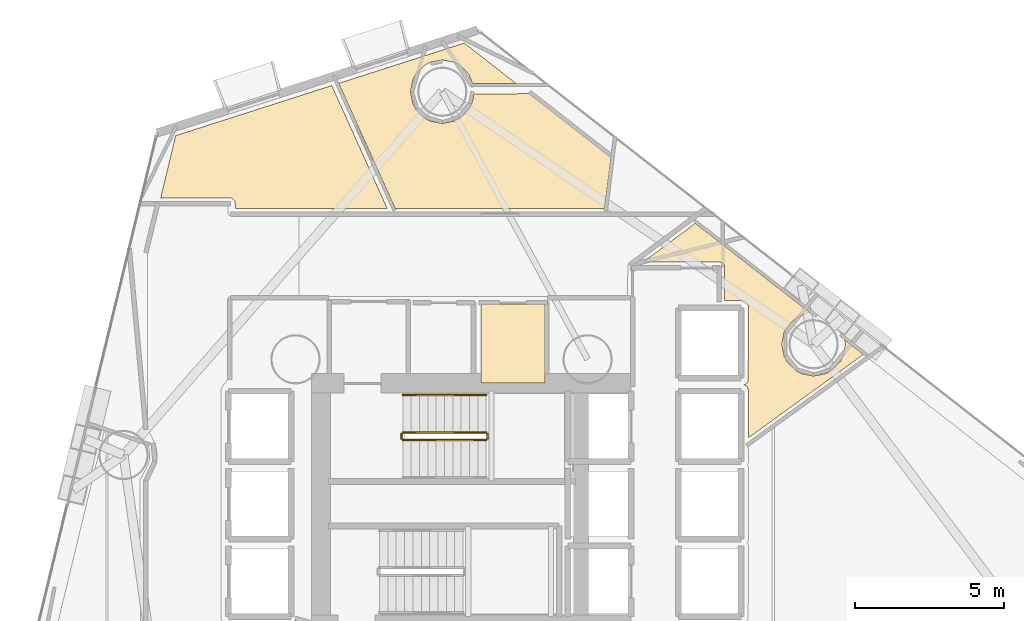
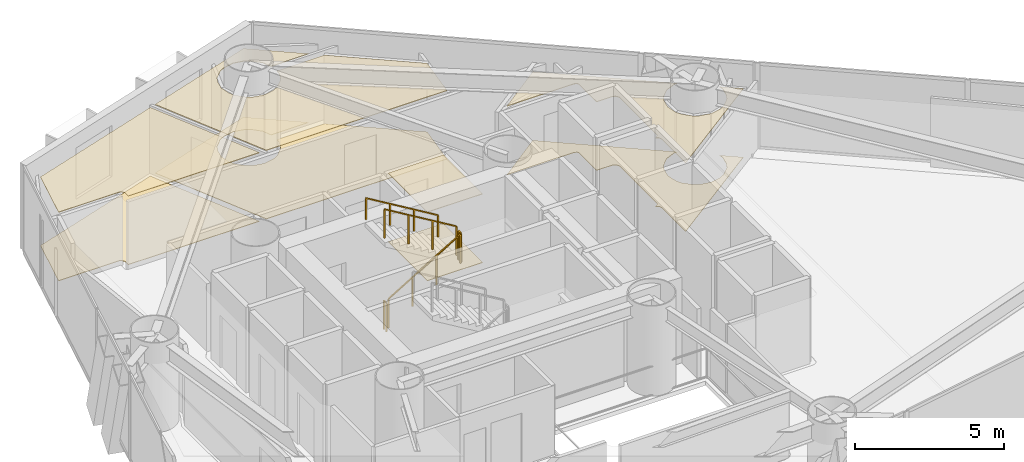
# One storey, part 22 of 23: 8 coverings, 5 railings.
"""IFC4 building model written with IfcOpenShell, lengths in metres."""

from ifc_helpers import new_model, si_unit, direction, frame, origin, origin_2d, place, context, subcontext, project, spatial, polyline, rectangle, outline, extrude, material, layer, layer_set, type_object, element, save


model = new_model("IFC4")

# Units and contexts
model_context = context("Model", 3, precision=1e-05, world=origin(), true_north=direction((0.0, 1.0)))
body_context = subcontext(model_context, "Body", "Model", "MODEL_VIEW")
ifc_project = project(units=[si_unit("LENGTHUNIT", "METRE"), si_unit("AREAUNIT", "SQUARE_METRE"), si_unit("VOLUMEUNIT", "CUBIC_METRE"), si_unit("PLANEANGLEUNIT", "RADIAN"), si_unit("MASSUNIT", "GRAM", prefix="KILO")], contexts=[model_context])

# Site, building, storey
site_placement = place(None, origin())
site = spatial("IfcSite", under=ifc_project, at=site_placement, CompositionType="ELEMENT")
building_placement = place(site_placement, origin())
building = spatial("IfcBuilding", under=site, at=building_placement, Name="Qianvela Tower", CompositionType="ELEMENT")
storey_placement = place(building_placement, frame((0.0, 0.0, 85.800048828125)))
storey = spatial("IfcBuildingStorey", under=building, at=storey_placement, Name="L21", CompositionType="ELEMENT", Elevation=85.800048828125)

# Coverings
ifc_material_1 = material(Name="Perforated Mineral Acoustic Ceiling Tile")
ifc_layer_1 = layer(ifc_material_1, 0.02490234375)
ifc_layer_set_1 = layer_set([ifc_layer_1], Name="Perforated Mineral Acoustic Ceiling Tile")
covering_type_1 = type_object("IfcCoveringType", Name="COV-CEIL-ACOUSTIC-25", PredefinedType="CEILING", material=ifc_layer_set_1)
covering_1_placement = place(storey_placement, frame((0.0, 0.0, 2.81494140625)))
element("IfcCovering", 1, at=covering_1_placement, inside=storey, type_object=covering_type_1, Name="L21 Acoustic Ceiling L21 Core Tea Pantry", PredefinedType="CEILING", context=body_context, shape_type="SweptSolid", body=[
    extrude(outline(polyline([(36.969970703125, 32.760009765625), (34.830078125, 32.760009765625), (34.830078125, 35.39990234375), (36.969970703125, 35.39990234375), (36.969970703125, 32.760009765625)])), origin(), (0.0, 0.0, 1.0), 0.02490234375),
])
covering_2_placement = place(storey_placement, frame((0.0, 0.0, 2.81494140625)))
element("IfcCovering", 2, at=covering_2_placement, inside=storey, type_object=covering_type_1, Name="L21 Acoustic Ceiling Academic Cellular Office L21-03", PredefinedType="CEILING", context=body_context, shape_type="SweptSolid", body=[
    extrude(outline(polyline([(43.65283203125, 32.698486328125), (43.680908203125, 32.70703125), (43.6884765625, 32.709716796875), (43.695556640625, 32.712890625), (43.7021484375, 32.717041015625), (43.70849609375, 32.7216796875), (43.71435546875, 32.72705078125), (43.719482421875, 32.73291015625), (43.771240234375, 32.795654296875), (43.77587890625, 32.802001953125), (43.77978515625, 32.80859375), (43.783203125, 32.815673828125), (43.785888671875, 32.822998046875), (43.787841796875, 32.83056640625), (43.788818359375, 32.83837890625), (43.789306640625, 32.84619140625), (43.79736328125, 35.3271484375), (43.797119140625, 35.334228515625), (43.7958984375, 35.341552734375), (43.79443359375, 35.348388671875), (43.792236328125, 35.35546875), (43.789306640625, 35.362060546875), (43.785888671875, 35.368408203125), (43.7373046875, 35.44921875), (43.732666015625, 35.456298828125), (43.727294921875, 35.462890625), (43.72119140625, 35.46875), (43.71435546875, 35.47412109375), (43.70703125, 35.478515625), (43.699462890625, 35.482177734375), (43.624267578125, 35.51318359375), (43.616943359375, 35.515869140625), (43.609375, 35.517822265625), (43.6015625, 35.518798828125), (43.59375, 35.519287109375), (42.998779296875, 35.52001953125), (42.99169921875, 36.701171875), (42.991455078125, 36.70947265625), (42.989990234375, 36.71728515625), (42.988037109375, 36.725341796875), (42.985107421875, 36.73291015625), (42.9814453125, 36.740234375), (42.97705078125, 36.7470703125), (42.971923828125, 36.75341796875), (42.96630859375, 36.759521484375), (42.9599609375, 36.7646484375), (42.953125, 36.769287109375), (42.946044921875, 36.773193359375), (42.88427734375, 36.80224609375), (42.8759765625, 36.8056640625), (42.867431640625, 36.80810546875), (42.85888671875, 36.8095703125), (42.85009765625, 36.81005859375), (40.262451171875, 36.81005859375), (42.015869140625, 38.115478515625), (45.87548828125, 35.10498046875), (45.789794921875, 35.10302734375), (45.78271484375, 35.1025390625), (45.775390625, 35.101318359375), (45.768310546875, 35.099609375), (45.76123046875, 35.096923828125), (45.406005859375, 34.949951171875), (45.399169921875, 34.946533203125), (45.392333984375, 34.9423828125), (45.385986328125, 34.937744140625), (45.380126953125, 34.9326171875), (45.1083984375, 34.660888671875), (45.103271484375, 34.655029296875), (45.098388671875, 34.648681640625), (45.094482421875, 34.641845703125), (45.00341796875, 34.4716796875), (45.0, 34.464599609375), (44.997314453125, 34.457275390625), (44.99560546875, 34.44970703125), (44.92041015625, 34.072509765625), (44.91943359375, 34.064697265625), (44.9189453125, 34.056884765625), (44.91943359375, 34.04931640625), (44.92041015625, 34.04150390625), (44.99560546875, 33.664306640625), (44.997314453125, 33.65673828125), (45.0, 33.6494140625), (45.00341796875, 33.642333984375), (45.094482421875, 33.47216796875), (45.098388671875, 33.46533203125), (45.103271484375, 33.458984375), (45.1083984375, 33.453125), (45.380126953125, 33.181396484375), (45.385986328125, 33.17626953125), (45.392333984375, 33.17138671875), (45.399169921875, 33.16748046875), (45.5693359375, 33.076416015625), (45.576416015625, 33.072998046875), (45.583740234375, 33.0703125), (45.59130859375, 33.068603515625), (45.968505859375, 32.993408203125), (45.976318359375, 32.992431640625), (45.98388671875, 32.991943359375), (45.99169921875, 32.992431640625), (45.99951171875, 32.993408203125), (46.376708984375, 33.068603515625), (46.38427734375, 33.0703125), (46.3916015625, 33.072998046875), (46.398681640625, 33.076416015625), (46.56884765625, 33.16748046875), (46.57568359375, 33.17138671875), (46.58203125, 33.17626953125), (46.587890625, 33.181396484375), (46.859619140625, 33.453125), (46.86474609375, 33.458984375), (46.869384765625, 33.46533203125), (46.87353515625, 33.47216796875), (46.964599609375, 33.642333984375), (46.968017578125, 33.6494140625), (46.970703125, 33.65673828125), (46.972412109375, 33.664306640625), (47.047607421875, 34.04150390625), (47.048583984375, 34.049072265625), (47.049072265625, 34.056640625), (47.048583984375, 34.064208984375), (47.047607421875, 34.072021484375), (47.02099609375, 34.211669921875), (47.656005859375, 33.71630859375), (43.800048828125, 30.918212890625), (43.800048828125, 32.5), (43.799560546875, 32.509033203125), (43.7978515625, 32.518310546875), (43.79541015625, 32.527099609375), (43.763427734375, 32.61572265625), (43.7607421875, 32.62255859375), (43.75732421875, 32.629150390625), (43.75341796875, 32.63525390625), (43.748779296875, 32.64111328125), (43.74365234375, 32.646484375), (43.73828125, 32.6513671875), (43.732421875, 32.655517578125), (43.725830078125, 32.659423828125), (43.65283203125, 32.698486328125)])), origin(), (0.0, 0.0, 1.0), 0.02490234375),
])
covering_3_placement = place(storey_placement, frame((0.0, 0.0, 2.81494140625)))
element("IfcCovering", 3, at=covering_3_placement, inside=storey, type_object=covering_type_1, Name="L21 Acoustic Ceiling Campus Convenience Shop L21-04", PredefinedType="CEILING", context=body_context, shape_type="SweptSolid", body=[
    extrude(outline(polyline([(31.946044921875, 38.610107421875), (30.051025390625, 42.81103515625), (34.26318359375, 44.162109375), (36.008056640625, 42.80126953125), (34.5458984375, 42.797607421875), (34.4189453125, 43.106689453125), (34.41552734375, 43.11376953125), (34.41162109375, 43.12060546875), (34.406982421875, 43.126953125), (34.401611328125, 43.1328125), (34.1298828125, 43.404541015625), (34.1240234375, 43.409912109375), (34.11767578125, 43.41455078125), (34.11083984375, 43.418701171875), (33.940673828125, 43.509521484375), (33.93359375, 43.512939453125), (33.92626953125, 43.515625), (33.918701171875, 43.517578125), (33.54150390625, 43.592529296875), (33.53369140625, 43.593505859375), (33.52587890625, 43.593994140625), (33.518310546875, 43.593505859375), (33.510498046875, 43.592529296875), (33.13330078125, 43.517578125), (33.125732421875, 43.515625), (33.118408203125, 43.512939453125), (33.111328125, 43.509521484375), (32.941162109375, 43.418701171875), (32.934326171875, 43.41455078125), (32.927978515625, 43.409912109375), (32.922119140625, 43.404541015625), (32.650390625, 43.1328125), (32.645263671875, 43.126953125), (32.640380859375, 43.12060546875), (32.636474609375, 43.114013671875), (32.54541015625, 42.943603515625), (32.5419921875, 42.9365234375), (32.539306640625, 42.92919921875), (32.53759765625, 42.921630859375), (32.46240234375, 42.544677734375), (32.46142578125, 42.536865234375), (32.4609375, 42.529052734375), (32.46142578125, 42.521240234375), (32.46240234375, 42.513427734375), (32.53759765625, 42.136474609375), (32.539306640625, 42.12890625), (32.5419921875, 42.121337890625), (32.54541015625, 42.1142578125), (32.636474609375, 41.944091796875), (32.640380859375, 41.937255859375), (32.645263671875, 41.930908203125), (32.650390625, 41.92529296875), (32.922119140625, 41.6533203125), (32.927978515625, 41.648193359375), (32.934326171875, 41.6435546875), (32.941162109375, 41.639404296875), (33.111328125, 41.54833984375), (33.118408203125, 41.545166015625), (33.125732421875, 41.54248046875), (33.13330078125, 41.54052734375), (33.510498046875, 41.465576171875), (33.518310546875, 41.46435546875), (33.52587890625, 41.464111328125), (33.53369140625, 41.46435546875), (33.54150390625, 41.465576171875), (33.918701171875, 41.54052734375), (33.92626953125, 41.54248046875), (33.93359375, 41.545166015625), (33.940673828125, 41.54833984375), (34.11083984375, 41.639404296875), (34.11767578125, 41.6435546875), (34.1240234375, 41.648193359375), (34.1298828125, 41.6533203125), (34.401611328125, 41.92529296875), (34.40673828125, 41.930908203125), (34.41162109375, 41.937255859375), (34.41552734375, 41.944091796875), (34.506591796875, 42.1142578125), (34.510009765625, 42.121337890625), (34.5126953125, 42.12890625), (34.568603515625, 42.313720703125), (34.570556640625, 42.321533203125), (34.57177734375, 42.32958984375), (34.583251953125, 42.457763671875), (36.442626953125, 42.46240234375), (39.186279296875, 40.322509765625), (38.969970703125, 38.610107421875), (31.946044921875, 38.610107421875)])), origin(), (0.0, 0.0, 1.0), 0.02490234375),
])
covering_4_placement = place(storey_placement, frame((0.0, 0.0, 2.81494140625)))
element("IfcCovering", 4, at=covering_4_placement, inside=storey, type_object=covering_type_1, Name="L21 Acoustic Ceiling Student Bookshop Market L21-05", PredefinedType="CEILING", context=body_context, shape_type="SweptSolid", body=[
    extrude(outline(polyline([(31.678466796875, 38.610107421875), (26.57958984375, 38.610107421875), (26.57861328125, 38.81591796875), (26.577880859375, 38.82421875), (26.57666015625, 38.83251953125), (26.574462890625, 38.840576171875), (26.571533203125, 38.84814453125), (26.567626953125, 38.855712890625), (26.563232421875, 38.862548828125), (26.55810546875, 38.868896484375), (26.55224609375, 38.875), (26.481689453125, 38.93896484375), (26.47509765625, 38.944091796875), (26.468017578125, 38.94873046875), (26.46044921875, 38.95263671875), (26.45263671875, 38.955810546875), (26.444580078125, 38.957763671875), (26.436279296875, 38.959228515625), (26.427978515625, 38.959716796875), (24.0732421875, 38.9599609375), (24.580322265625, 41.055908203125), (29.8173828125, 42.736083984375), (31.678466796875, 38.610107421875)])), origin(), (0.0, 0.0, 1.0), 0.02490234375),
])
ifc_material_2 = material(Name="Engineered Acoustic Oak Timber Flooring", Category="wood")
ifc_layer_2 = layer(ifc_material_2, 0.02001953125)
ifc_layer_set_2 = layer_set([ifc_layer_2], Name="Engineered Acoustic Oak Timber Flooring")
covering_type_2 = type_object("IfcCoveringType", Name="COV-FLOOR-OAK-20", PredefinedType="FLOORING", material=ifc_layer_set_2)
covering_5_placement = place(storey_placement, origin())
element("IfcCovering", 5, at=covering_5_placement, inside=storey, type_object=covering_type_2, Name="L21 Finish Flooring L21 Core Tea Pantry", PredefinedType="FLOORING", context=body_context, shape_type="SweptSolid", body=[
    extrude(outline(polyline([(36.969970703125, 32.760009765625), (34.830078125, 32.760009765625), (34.830078125, 35.39990234375), (36.969970703125, 35.39990234375), (36.969970703125, 32.760009765625)])), origin(), (0.0, 0.0, 1.0), 0.02001953125),
])
covering_6_placement = place(storey_placement, origin())
element("IfcCovering", 6, at=covering_6_placement, inside=storey, type_object=covering_type_2, Name="L21 Finish Flooring Academic Cellular Office L21-03", PredefinedType="FLOORING", context=body_context, shape_type="SweptSolid", body=[
    extrude(outline(polyline([(43.65283203125, 32.698486328125), (43.680908203125, 32.70703125), (43.6884765625, 32.709716796875), (43.695556640625, 32.712890625), (43.7021484375, 32.717041015625), (43.70849609375, 32.7216796875), (43.71435546875, 32.72705078125), (43.719482421875, 32.73291015625), (43.771240234375, 32.795654296875), (43.77587890625, 32.802001953125), (43.77978515625, 32.80859375), (43.783203125, 32.815673828125), (43.785888671875, 32.822998046875), (43.787841796875, 32.83056640625), (43.788818359375, 32.83837890625), (43.789306640625, 32.84619140625), (43.79736328125, 35.3271484375), (43.797119140625, 35.334228515625), (43.7958984375, 35.341552734375), (43.79443359375, 35.348388671875), (43.792236328125, 35.35546875), (43.789306640625, 35.362060546875), (43.785888671875, 35.368408203125), (43.7373046875, 35.44921875), (43.732666015625, 35.456298828125), (43.727294921875, 35.462890625), (43.72119140625, 35.46875), (43.71435546875, 35.47412109375), (43.70703125, 35.478515625), (43.699462890625, 35.482177734375), (43.624267578125, 35.51318359375), (43.616943359375, 35.515869140625), (43.609375, 35.517822265625), (43.6015625, 35.518798828125), (43.59375, 35.519287109375), (42.998779296875, 35.52001953125), (42.99169921875, 36.701171875), (42.991455078125, 36.70947265625), (42.989990234375, 36.71728515625), (42.988037109375, 36.725341796875), (42.985107421875, 36.73291015625), (42.9814453125, 36.740234375), (42.97705078125, 36.7470703125), (42.971923828125, 36.75341796875), (42.96630859375, 36.759521484375), (42.9599609375, 36.7646484375), (42.953125, 36.769287109375), (42.946044921875, 36.773193359375), (42.88427734375, 36.80224609375), (42.8759765625, 36.8056640625), (42.867431640625, 36.80810546875), (42.85888671875, 36.8095703125), (42.85009765625, 36.81005859375), (40.262451171875, 36.81005859375), (42.015869140625, 38.115478515625), (45.87548828125, 35.10498046875), (45.789794921875, 35.10302734375), (45.78271484375, 35.1025390625), (45.775390625, 35.101318359375), (45.768310546875, 35.099609375), (45.76123046875, 35.096923828125), (45.406005859375, 34.949951171875), (45.399169921875, 34.946533203125), (45.392333984375, 34.9423828125), (45.385986328125, 34.937744140625), (45.380126953125, 34.9326171875), (45.1083984375, 34.660888671875), (45.103271484375, 34.655029296875), (45.098388671875, 34.648681640625), (45.094482421875, 34.641845703125), (45.00341796875, 34.4716796875), (45.0, 34.464599609375), (44.997314453125, 34.457275390625), (44.99560546875, 34.44970703125), (44.92041015625, 34.072509765625), (44.91943359375, 34.064697265625), (44.9189453125, 34.056884765625), (44.91943359375, 34.04931640625), (44.92041015625, 34.04150390625), (44.99560546875, 33.664306640625), (44.997314453125, 33.65673828125), (45.0, 33.6494140625), (45.00341796875, 33.642333984375), (45.094482421875, 33.47216796875), (45.098388671875, 33.46533203125), (45.103271484375, 33.458984375), (45.1083984375, 33.453125), (45.380126953125, 33.181396484375), (45.385986328125, 33.17626953125), (45.392333984375, 33.17138671875), (45.399169921875, 33.16748046875), (45.5693359375, 33.076416015625), (45.576416015625, 33.072998046875), (45.583740234375, 33.0703125), (45.59130859375, 33.068603515625), (45.968505859375, 32.993408203125), (45.976318359375, 32.992431640625), (45.98388671875, 32.991943359375), (45.99169921875, 32.992431640625), (45.99951171875, 32.993408203125), (46.376708984375, 33.068603515625), (46.38427734375, 33.0703125), (46.3916015625, 33.072998046875), (46.398681640625, 33.076416015625), (46.56884765625, 33.16748046875), (46.57568359375, 33.17138671875), (46.58203125, 33.17626953125), (46.587890625, 33.181396484375), (46.859619140625, 33.453125), (46.86474609375, 33.458984375), (46.869384765625, 33.46533203125), (46.87353515625, 33.47216796875), (46.964599609375, 33.642333984375), (46.968017578125, 33.6494140625), (46.970703125, 33.65673828125), (46.972412109375, 33.664306640625), (47.047607421875, 34.04150390625), (47.048583984375, 34.049072265625), (47.049072265625, 34.056640625), (47.048583984375, 34.064208984375), (47.047607421875, 34.072021484375), (47.02099609375, 34.211669921875), (47.656005859375, 33.71630859375), (43.800048828125, 30.918212890625), (43.800048828125, 32.5), (43.799560546875, 32.509033203125), (43.7978515625, 32.518310546875), (43.79541015625, 32.527099609375), (43.763427734375, 32.61572265625), (43.7607421875, 32.62255859375), (43.75732421875, 32.629150390625), (43.75341796875, 32.63525390625), (43.748779296875, 32.64111328125), (43.74365234375, 32.646484375), (43.73828125, 32.6513671875), (43.732421875, 32.655517578125), (43.725830078125, 32.659423828125), (43.65283203125, 32.698486328125)])), origin(), (0.0, 0.0, 1.0), 0.02001953125),
])
covering_7_placement = place(storey_placement, origin())
element("IfcCovering", 7, at=covering_7_placement, inside=storey, type_object=covering_type_2, Name="L21 Finish Flooring Campus Convenience Shop L21-04", PredefinedType="FLOORING", context=body_context, shape_type="SweptSolid", body=[
    extrude(outline(polyline([(31.946044921875, 38.610107421875), (30.051025390625, 42.81103515625), (34.26318359375, 44.162109375), (36.008056640625, 42.80126953125), (34.5458984375, 42.797607421875), (34.4189453125, 43.106689453125), (34.41552734375, 43.11376953125), (34.41162109375, 43.12060546875), (34.406982421875, 43.126953125), (34.401611328125, 43.1328125), (34.1298828125, 43.404541015625), (34.1240234375, 43.409912109375), (34.11767578125, 43.41455078125), (34.11083984375, 43.418701171875), (33.940673828125, 43.509521484375), (33.93359375, 43.512939453125), (33.92626953125, 43.515625), (33.918701171875, 43.517578125), (33.54150390625, 43.592529296875), (33.53369140625, 43.593505859375), (33.52587890625, 43.593994140625), (33.518310546875, 43.593505859375), (33.510498046875, 43.592529296875), (33.13330078125, 43.517578125), (33.125732421875, 43.515625), (33.118408203125, 43.512939453125), (33.111328125, 43.509521484375), (32.941162109375, 43.418701171875), (32.934326171875, 43.41455078125), (32.927978515625, 43.409912109375), (32.922119140625, 43.404541015625), (32.650390625, 43.1328125), (32.645263671875, 43.126953125), (32.640380859375, 43.12060546875), (32.636474609375, 43.114013671875), (32.54541015625, 42.943603515625), (32.5419921875, 42.9365234375), (32.539306640625, 42.92919921875), (32.53759765625, 42.921630859375), (32.46240234375, 42.544677734375), (32.46142578125, 42.536865234375), (32.4609375, 42.529052734375), (32.46142578125, 42.521240234375), (32.46240234375, 42.513427734375), (32.53759765625, 42.136474609375), (32.539306640625, 42.12890625), (32.5419921875, 42.121337890625), (32.54541015625, 42.1142578125), (32.636474609375, 41.944091796875), (32.640380859375, 41.937255859375), (32.645263671875, 41.930908203125), (32.650390625, 41.92529296875), (32.922119140625, 41.6533203125), (32.927978515625, 41.648193359375), (32.934326171875, 41.6435546875), (32.941162109375, 41.639404296875), (33.111328125, 41.54833984375), (33.118408203125, 41.545166015625), (33.125732421875, 41.54248046875), (33.13330078125, 41.54052734375), (33.510498046875, 41.465576171875), (33.518310546875, 41.46435546875), (33.52587890625, 41.464111328125), (33.53369140625, 41.46435546875), (33.54150390625, 41.465576171875), (33.918701171875, 41.54052734375), (33.92626953125, 41.54248046875), (33.93359375, 41.545166015625), (33.940673828125, 41.54833984375), (34.11083984375, 41.639404296875), (34.11767578125, 41.6435546875), (34.1240234375, 41.648193359375), (34.1298828125, 41.6533203125), (34.401611328125, 41.92529296875), (34.40673828125, 41.930908203125), (34.41162109375, 41.937255859375), (34.41552734375, 41.944091796875), (34.506591796875, 42.1142578125), (34.510009765625, 42.121337890625), (34.5126953125, 42.12890625), (34.568603515625, 42.313720703125), (34.570556640625, 42.321533203125), (34.57177734375, 42.32958984375), (34.583251953125, 42.457763671875), (36.442626953125, 42.46240234375), (39.186279296875, 40.322509765625), (38.969970703125, 38.610107421875), (31.946044921875, 38.610107421875)])), origin(), (0.0, 0.0, 1.0), 0.02001953125),
])
covering_8_placement = place(storey_placement, origin())
element("IfcCovering", 8, at=covering_8_placement, inside=storey, type_object=covering_type_2, Name="L21 Finish Flooring Student Bookshop Market L21-05", PredefinedType="FLOORING", context=body_context, shape_type="SweptSolid", body=[
    extrude(outline(polyline([(31.678466796875, 38.610107421875), (26.57958984375, 38.610107421875), (26.57861328125, 38.81591796875), (26.577880859375, 38.82421875), (26.57666015625, 38.83251953125), (26.574462890625, 38.840576171875), (26.571533203125, 38.84814453125), (26.567626953125, 38.855712890625), (26.563232421875, 38.862548828125), (26.55810546875, 38.868896484375), (26.55224609375, 38.875), (26.481689453125, 38.93896484375), (26.47509765625, 38.944091796875), (26.468017578125, 38.94873046875), (26.46044921875, 38.95263671875), (26.45263671875, 38.955810546875), (26.444580078125, 38.957763671875), (26.436279296875, 38.959228515625), (26.427978515625, 38.959716796875), (24.0732421875, 38.9599609375), (24.580322265625, 41.055908203125), (29.8173828125, 42.736083984375), (31.678466796875, 38.610107421875)])), origin(), (0.0, 0.0, 1.0), 0.02001953125),
])

# Railings
ifc_material_3 = material(Name="Painted Tubular Steel Q355B", Category="steel")
railing_type_1 = type_object("IfcRailingType", Name="RL-STAIR-GUARD-1200", PredefinedType="GUARDRAIL", material=ifc_material_3)
railing_1_placement = place(storey_placement, frame((32.199951171875, 30.840087890625, 0.168212890625)))
element("IfcRailing", 9, at=railing_1_placement, inside=storey, type_object=railing_type_1, Name="L21 ST-1 stair guard 1", PredefinedType="GUARDRAIL", context=body_context, shape_type="SweptSolid", body=[
    extrude(rectangle(XDim=0.050048828125, YDim=0.0400390625, at=origin_2d()), frame((0.0, 0.0, 1.179931640625), z_axis=(0.857275202839, 0.0, 0.514858452973), x_axis=(0.0, 1.0, 0.0)), (0.0, 0.0, 1.0), 3.26611328125),
    extrude(rectangle(XDim=0.050048828125, YDim=0.050048828125, at=origin_2d()), origin(), (0.0, 0.0, 1.0), 1.159912109375),
    extrude(rectangle(XDim=0.050048828125, YDim=0.050048828125, at=origin_2d()), frame((0.933349609375, 0.0, 0.560546875)), (0.0, 0.0, 1.0), 1.159912109375),
    extrude(rectangle(XDim=0.050048828125, YDim=0.050048828125, at=origin_2d()), frame((1.86669921875, 0.0, 1.12109375)), (0.0, 0.0, 1.0), 1.159912109375),
    extrude(rectangle(XDim=0.050048828125, YDim=0.050048828125, at=origin_2d()), frame((2.800048828125, 0.0, 1.681640625)), (0.0, 0.0, 1.0), 1.159912109375),
])
railing_2_placement = place(storey_placement, frame((35.050048828125, 30.889892578125, 1.849853515625)))
element("IfcRailing", 10, at=railing_2_placement, inside=storey, type_object=railing_type_1, Name="L21 ST-1 stair guard 2", PredefinedType="GUARDRAIL", context=body_context, shape_type="SweptSolid", body=[
    extrude(rectangle(XDim=0.050048828125, YDim=0.0400390625, at=origin_2d()), frame((0.0, 0.0, 1.179931640625), z_axis=(0.0, 1.0, 0.0), x_axis=(-1.0, 0.0, 0.0)), (0.0, 0.0, 1.0), 0.16015625),
    extrude(rectangle(XDim=0.050048828125, YDim=0.050048828125, at=origin_2d()), origin(), (0.0, 0.0, 1.0), 1.159912109375),
    extrude(rectangle(XDim=0.050048828125, YDim=0.050048828125, at=origin_2d()), frame((0.0, 0.16015625, 0.0)), (0.0, 0.0, 1.0), 1.159912109375),
])
railing_3_placement = place(storey_placement, frame((35.0, 31.10009765625, 2.01806640625)))
element("IfcRailing", 11, at=railing_3_placement, inside=storey, type_object=railing_type_1, Name="L21 ST-1 stair guard 3", PredefinedType="GUARDRAIL", context=body_context, shape_type="SweptSolid", body=[
    extrude(rectangle(XDim=0.050048828125, YDim=0.0400390625, at=origin_2d()), frame((0.0, 0.0, 1.179931640625), z_axis=(-0.857242210791, 0.0, 0.514913383045), x_axis=(0.0, -1.0, 0.0)), (0.0, 0.0, 1.0), 3.266357421875),
    extrude(rectangle(XDim=0.050048828125, YDim=0.050048828125, at=origin_2d()), origin(), (0.0, 0.0, 1.0), 1.159912109375),
    extrude(rectangle(XDim=0.050048828125, YDim=0.050048828125, at=origin_2d()), frame((-0.933349609375, 0.0, 0.560546875)), (0.0, 0.0, 1.0), 1.159912109375),
    extrude(rectangle(XDim=0.050048828125, YDim=0.050048828125, at=origin_2d()), frame((-1.86669921875, 0.0, 1.121337890625)), (0.0, 0.0, 1.0), 1.159912109375),
    extrude(rectangle(XDim=0.050048828125, YDim=0.050048828125, at=origin_2d()), frame((-2.800048828125, 0.0, 1.681884765625)), (0.0, 0.0, 1.0), 1.159912109375),
])
railing_4_placement = place(storey_placement, frame((32.14990234375, 30.889892578125, 0.0)))
element("IfcRailing", 12, at=railing_4_placement, inside=storey, type_object=railing_type_1, Name="L21 ST-1 stair guard 4", PredefinedType="GUARDRAIL", context=body_context, shape_type="SweptSolid", body=[
    extrude(rectangle(XDim=0.050048828125, YDim=0.0400390625, at=origin_2d()), frame((0.0, 0.0, 1.179931640625), z_axis=(0.0, 1.0, 0.0), x_axis=(-1.0, 0.0, 0.0)), (0.0, 0.0, 1.0), 0.16015625),
    extrude(rectangle(XDim=0.050048828125, YDim=0.050048828125, at=origin_2d()), origin(), (0.0, 0.0, 1.0), 1.159912109375),
    extrude(rectangle(XDim=0.050048828125, YDim=0.050048828125, at=origin_2d()), frame((0.0, 0.16015625, 0.0)), (0.0, 0.0, 1.0), 1.159912109375),
])
ifc_material_4 = material(Name="Brushed Stainless Steel 304", Category="steel")
railing_type_2 = type_object("IfcRailingType", Name="RL-STAIR-HANDRAIL-900", PredefinedType="HANDRAIL", material=ifc_material_4)
railing_5_placement = place(storey_placement, frame((35.0, 32.35009765625, 2.01806640625)))
element("IfcRailing", 13, at=railing_5_placement, inside=storey, type_object=railing_type_2, Name="L21 ST-1 stair handrail 2", PredefinedType="HANDRAIL", context=body_context, shape_type="SweptSolid", body=[
    extrude(rectangle(XDim=0.050048828125, YDim=0.0400390625, at=origin_2d()), frame((0.0, 0.0, 0.8798828125), z_axis=(-0.857242210791, 0.0, 0.514913383045), x_axis=(0.0, -1.0, 0.0)), (0.0, 0.0, 1.0), 3.266357421875),
    extrude(rectangle(XDim=0.050048828125, YDim=0.050048828125, at=origin_2d()), origin(), (0.0, 0.0, 1.0), 0.85986328125),
    extrude(rectangle(XDim=0.050048828125, YDim=0.050048828125, at=origin_2d()), frame((-0.933349609375, 0.0, 0.560546875)), (0.0, 0.0, 1.0), 0.85986328125),
    extrude(rectangle(XDim=0.050048828125, YDim=0.050048828125, at=origin_2d()), frame((-1.86669921875, 0.0, 1.121337890625)), (0.0, 0.0, 1.0), 0.85986328125),
    extrude(rectangle(XDim=0.050048828125, YDim=0.050048828125, at=origin_2d()), frame((-2.800048828125, 0.0, 1.681884765625)), (0.0, 0.0, 1.0), 0.85986328125),
])

save(model, "model.ifc")
